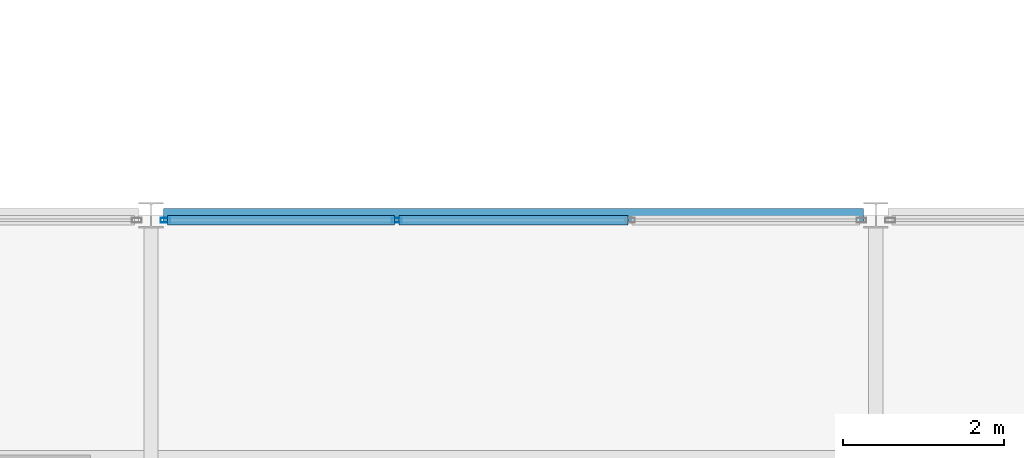
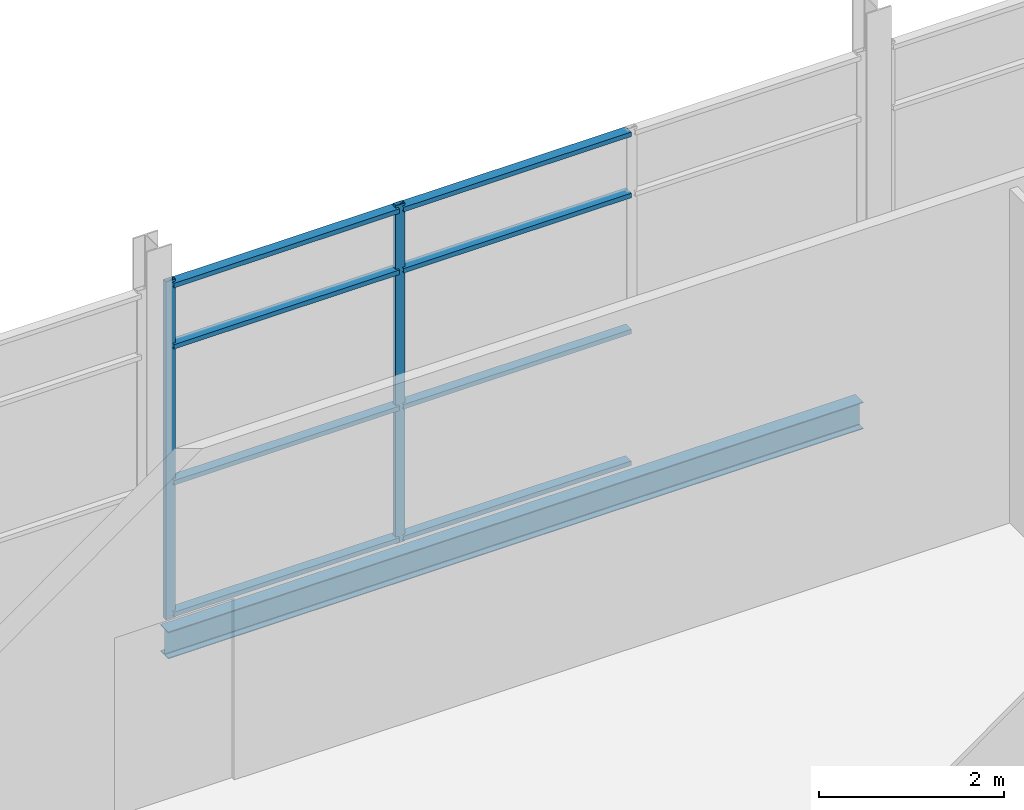
# One storey, part 18 of 94: 10 members, 1 beam, 1 element without a shape of its own.
"""IFC4 building model written with IfcOpenShell, lengths in metres."""

import ifcopenshell
import ifcopenshell.guid

model = None  # the IFC model being written
_history = None  # IfcOwnerHistory: only IFC2X3 demands one
_inside = {}  # id of a spatial element -> (the spatial element, [elements in it])
_under = {}  # id of a project, library or spatial element -> (it, [spatial elements below it])
_declared = {}  # id of a project -> (the project, [libraries it declares])
_typed = {}  # id of a type object -> (the type object, [elements of that type])
_made_of = {}  # id of a material, layer set ... -> (it, [elements and type objects made of it])


def new_model(schema):
    """Start an empty IFC model of exactly this schema.

    Asked for "IFC4X3", IfcOpenShell would pick the latest addendum, in which some entities
    have other attributes; the version numbers below select the first issue.
    IFC2X3 requires an IfcOwnerHistory on every rooted entity: one is made here for all.
    """
    global model, _history
    if schema == "IFC4X3":
        model = ifcopenshell.file(schema_version=(4, 3, 0, 0))
    else:
        model = ifcopenshell.file(schema=schema)
    _inside.clear()
    _under.clear()
    _declared.clear()
    _typed.clear()
    _made_of.clear()
    _history = None
    if model.schema == "IFC2X3":
        org = make("IfcOrganization", Name="unknown")
        user = make(
            "IfcPersonAndOrganization",
            ThePerson=make("IfcPerson", FamilyName="unknown"),
            TheOrganization=org,
        )
        app = make(
            "IfcApplication",
            ApplicationDeveloper=org,
            Version="unknown",
            ApplicationFullName="unknown",
            ApplicationIdentifier="unknown",
        )
        _history = make(
            "IfcOwnerHistory",
            OwningUser=user,
            OwningApplication=app,
            ChangeAction="ADDED",
            CreationDate=0,
        )
    return model


def make(cls, **values):
    """One entity of the class cls with the attributes given. An attribute that is None is left unset."""
    return model.create_entity(
        cls, **{name: value for name, value in values.items() if value is not None}
    )


def rooted(cls, **values):
    """An entity with a GlobalId (a new one), such as an element, a storey or a relation."""
    return make(cls, GlobalId=ifcopenshell.guid.new(), OwnerHistory=_history, **values)


def si_unit(unit_type, name, prefix=None):
    """IfcSIUnit, for example si_unit("LENGTHUNIT", "METRE", prefix="MILLI")."""
    return make("IfcSIUnit", UnitType=unit_type, Prefix=prefix, Name=name)


def assignment(units):
    """IfcUnitAssignment: the units of a project."""
    return None if units is None else make("IfcUnitAssignment", Units=units)


def point(xyz):
    """IfcCartesianPoint."""
    return None if xyz is None else make("IfcCartesianPoint", Coordinates=xyz)


def direction(xyz):
    """IfcDirection."""
    return None if xyz is None else make("IfcDirection", DirectionRatios=xyz)


def frame(location, z_axis=None, x_axis=None):
    """IfcAxis2Placement3D, a coordinate frame: its origin and axes. An axis left out is left unset."""
    return make(
        "IfcAxis2Placement3D",
        Location=point(location),
        Axis=direction(z_axis),
        RefDirection=direction(x_axis),
    )


def frame_2d(location, x_axis=None):
    """IfcAxis2Placement2D, a coordinate frame in the plane: its origin and x axis."""
    return make(
        "IfcAxis2Placement2D", Location=point(location), RefDirection=direction(x_axis)
    )


def origin():
    """The frame at (0, 0, 0) with its axes left unset."""
    return frame((0.0, 0.0, 0.0))


def origin_2d():
    """The frame at (0, 0) in the plane with its x axis left unset."""
    return frame_2d((0.0, 0.0))


def place(relative_to, where):
    """IfcLocalPlacement: puts the frame where relative to a parent placement (None: the world)."""
    return make(
        "IfcLocalPlacement", PlacementRelTo=relative_to, RelativePlacement=where
    )


def context(
    kind, dimensions, precision=None, world=None, true_north=None, identifier=None
):
    """IfcGeometricRepresentationContext, for example the 3D "Model" context."""
    return make(
        "IfcGeometricRepresentationContext",
        ContextIdentifier=identifier,
        ContextType=kind,
        CoordinateSpaceDimension=dimensions,
        Precision=precision,
        WorldCoordinateSystem=world,
        TrueNorth=true_north,
    )


def subcontext(parent, identifier, kind, view, scale=None):
    """IfcGeometricRepresentationSubContext, for example "Body" below "Model"."""
    return make(
        "IfcGeometricRepresentationSubContext",
        ContextIdentifier=identifier,
        ContextType=kind,
        ParentContext=parent,
        TargetScale=scale,
        TargetView=view,
    )


def project(units=None, contexts=None):
    """IfcProject with its units and contexts."""
    return rooted(
        "IfcProject",
        Name="project",
        RepresentationContexts=contexts,
        UnitsInContext=assignment(units),
    )


def spatial(cls, under=None, at=None, **own):
    """A site, building, storey or space (cls), placed at a placement, below another one or the project."""
    s = rooted(cls, ObjectPlacement=at, **own)
    if under is not None:
        _under.setdefault(under.id(), (under, []))[1].append(s)
    return s


def profile(cls, at=None, kind="AREA", **sizes):
    """A parametric profile (cls). Its sizes go by their IFC names, for example OverallWidth=200.0."""
    return make(cls, ProfileType=kind, Position=at, **sizes)


def hollow_rectangle(**sizes):
    """IfcRectangleHollowProfileDef."""
    return profile("IfcRectangleHollowProfileDef", **sizes)


def i_section(**sizes):
    """IfcIShapeProfileDef."""
    return profile("IfcIShapeProfileDef", **sizes)


def extrude(swept, where, along, depth):
    """IfcExtrudedAreaSolid: the profile swept, set in the frame where, extruded along a direction by depth."""
    return make(
        "IfcExtrudedAreaSolid",
        SweptArea=swept,
        Position=where,
        ExtrudedDirection=direction(along),
        Depth=depth,
    )


def shape(context_of_items, identifier, shape_type, items):
    """IfcShapeRepresentation: the items that make up one representation, for example the "Body"."""
    return make(
        "IfcShapeRepresentation",
        ContextOfItems=context_of_items,
        RepresentationIdentifier=identifier,
        RepresentationType=shape_type,
        Items=items,
    )


def material(Name=None, Category=None):
    """IfcMaterial."""
    return make("IfcMaterial", Name=Name, Category=Category)


def layer(
    of_material, thickness, ventilated=None, Name=None, Category=None, Priority=None
):
    """IfcMaterialLayer: one layer of a wall or slab, of a material (None: an air gap)."""
    return make(
        "IfcMaterialLayer",
        Material=of_material,
        LayerThickness=thickness,
        IsVentilated=ventilated,
        Name=Name,
        Category=Category,
        Priority=Priority,
    )


def layer_set(layers, Name=None):
    """IfcMaterialLayerSet."""
    return make("IfcMaterialLayerSet", MaterialLayers=layers, LayerSetName=Name)


def material_profile(
    of_material, cross_section, Name=None, Category=None, Priority=None
):
    """IfcMaterialProfile: a cross section and its material."""
    return make(
        "IfcMaterialProfile",
        Name=Name,
        Material=of_material,
        Profile=cross_section,
        Priority=Priority,
        Category=Category,
    )


def profile_set(profiles, Name=None, composite=None):
    """IfcMaterialProfileSet."""
    return make(
        "IfcMaterialProfileSet",
        Name=Name,
        MaterialProfiles=profiles,
        CompositeProfile=composite,
    )


def made_of(thing, what):
    """Note that an element or type object is made of a material, layer set ...; save() writes the relation."""
    if what is not None:
        _made_of.setdefault(what.id(), (what, []))[1].append(thing)
    return thing


def type_object(cls, material=None, **own):
    """A type object (cls), such as IfcWallType, which elements share."""
    return made_of(rooted(cls, **own), material)


def element(
    cls,
    number,
    at=None,
    inside=None,
    cuts=None,
    type_object=None,
    material=None,
    context=None,
    identifier="Body",
    shape_type=None,
    held_by="IfcProductDefinitionShape",
    body=None,
    shapes=None,
    **own,
):
    """One element of the class cls, such as IfcWall. Its Tag is "e" and its number.

    at: its placement. inside: the storey or other place that contains it. cuts: it is an
    opening in that element (IfcRelVoidsElement). A single representation is given by context,
    identifier, shape_type and body (its items); several are given by shapes. held_by: the class
    of the entity that holds the representations. save() writes the other relations.
    """
    e = rooted(cls, Tag="e%d" % number, ObjectPlacement=at, **own)
    if body is not None:
        shapes = [shape(context, identifier, shape_type, body)]
    if shapes is not None:
        e.Representation = make(held_by, Representations=shapes)
    if inside is not None:
        _inside.setdefault(inside.id(), (inside, []))[1].append(e)
    if cuts is not None:
        rooted(
            "IfcRelVoidsElement", RelatingBuildingElement=cuts, RelatedOpeningElement=e
        )
    if type_object is not None:
        _typed.setdefault(type_object.id(), (type_object, []))[1].append(e)
    return made_of(e, material)


def aggregate(whole, parts):
    """IfcRelAggregates: a whole, such as a stair, and the parts it consists of."""
    return rooted("IfcRelAggregates", RelatingObject=whole, RelatedObjects=parts)


def save(model, path):
    """Write the relations noted so far, then the file.

    IfcRelAggregates (storeys below a building ...), IfcRelContainedInSpatialStructure (elements
    in a storey), IfcRelDefinesByType, IfcRelAssociatesMaterial and IfcRelDeclares: one each for
    every whole, place, type object, material and project.
    """
    for whole, parts in _under.values():
        aggregate(whole, parts)
    for where, things in _inside.values():
        rooted(
            "IfcRelContainedInSpatialStructure",
            RelatedElements=things,
            RelatingStructure=where,
        )
    for kind, things in _typed.values():
        rooted("IfcRelDefinesByType", RelatedObjects=things, RelatingType=kind)
    for what, things in _made_of.values():
        rooted("IfcRelAssociatesMaterial", RelatedObjects=things, RelatingMaterial=what)
    for by, libraries in _declared.values():
        rooted("IfcRelDeclares", RelatingContext=by, RelatedDefinitions=libraries)
    model.write(path)


model = new_model("IFC4")

# Units and contexts
model_context = context("Model", 3, precision=1e-05, world=origin(), true_north=direction((0.0, 1.0)))
body_context = subcontext(model_context, "Body", "Model", "MODEL_VIEW")
ifc_project = project(units=[si_unit("LENGTHUNIT", "METRE"), si_unit("AREAUNIT", "SQUARE_METRE"), si_unit("VOLUMEUNIT", "CUBIC_METRE"), si_unit("PLANEANGLEUNIT", "RADIAN"), si_unit("MASSUNIT", "GRAM", prefix="KILO")], contexts=[model_context])

# Site, building, storey
site_placement = place(None, origin())
site = spatial("IfcSite", under=ifc_project, at=site_placement, CompositionType="ELEMENT")
building_placement = place(site_placement, origin())
building = spatial("IfcBuilding", under=site, at=building_placement, Name="Shorebreak Coast Museum", CompositionType="ELEMENT")
storey_placement = place(building_placement, frame((0.0, 0.0, 31.0)))
storey = spatial("IfcBuildingStorey", under=building, at=storey_placement, Name="L05", CompositionType="ELEMENT", Elevation=31.0)

# Beam
ifc_material_1 = material(Name="Steel Grade 300", Category="steel")
ifc_material_profile_1 = material_profile(ifc_material_1, i_section(OverallWidth=0.1708984375, OverallDepth=0.355712890625, WebThickness=0.00732421875, FlangeThickness=0.011474609375, FilletRadius=0.011474609375, at=origin_2d()), Name="360UB50.7")
ifc_profile_set_1 = profile_set([ifc_material_profile_1], Name="Steel Grade 300")
beam_type = type_object("IfcBeamType", Name="Floor girder east-west 360UB50.7", PredefinedType="BEAM", material=ifc_profile_set_1)
beam_placement = place(storey_placement, frame((81.153564453125, 63.0, -0.352783203125), z_axis=(1.0, 0.0, 0.0), x_axis=(0.0, 1.0, 0.0)))
element("IfcBeam", 1, at=beam_placement, inside=storey, type_object=beam_type, Name="Floor girder east-west L05 10H", PredefinedType="BEAM", context=body_context, shape_type="SweptSolid", body=[
    extrude(i_section(OverallWidth=0.1708984375, OverallDepth=0.355712890625, WebThickness=0.00732421875, FlangeThickness=0.011474609375, FilletRadius=0.011474609375, at=origin_2d()), origin(), (0.0, 0.0, 1.0), 8.69287109375),
])

# Curtain wall, members
ifc_material_2 = material(Name="Aluminium", Category="aluminium")
ifc_layer = layer(ifc_material_2, 0.1201171875)
ifc_layer_set = layer_set([ifc_layer], Name="Aluminium")
curtain_wall_type = type_object("IfcCurtainWallType", Name="Atrium fire screen", PredefinedType="NOTDEFINED", material=ifc_layer_set)
curtain_wall_placement = place(storey_placement, origin())
curtain_wall = element("IfcCurtainWall", 2, at=curtain_wall_placement, inside=storey, type_object=curtain_wall_type, Name="Atrium screen L05 S 65", PredefinedType="NOTDEFINED")
ifc_material_3 = material(Name="Aluminium", Category="aluminium")
ifc_material_profile_2 = material_profile(ifc_material_3, hollow_rectangle(XDim=0.06005859375, YDim=0.1201171875, WallThickness=0.00341796875, at=origin_2d()), Name="AL 120x60 RHS")
ifc_profile_set_2 = profile_set([ifc_material_profile_2], Name="Aluminium")
member_type_1 = type_object("IfcMemberType", Name="Screen mullion 50 x 120", PredefinedType="MULLION", material=ifc_profile_set_2)
member_1_placement = place(storey_placement, frame((81.178466796875, 62.93994140625, 0.0), z_axis=(0.0, 0.0, 1.0), x_axis=(0.0, 1.0, 0.0)))
member_1 = element("IfcMember", 3, at=member_1_placement, type_object=member_type_1, Name="CW6 mullion 1", PredefinedType="MULLION", context=body_context, shape_type="SweptSolid", body=[
    extrude(hollow_rectangle(XDim=0.06005859375, YDim=0.1201171875, WallThickness=0.00341796875, at=origin_2d()), origin(), (0.0, 0.0, 1.0), 4.469482421875),
])
member_2_placement = place(storey_placement, frame((84.05126953125, 62.93994140625, 0.0), z_axis=(0.0, 0.0, 1.0), x_axis=(0.0, 1.0, 0.0)))
member_2 = element("IfcMember", 4, at=member_2_placement, type_object=member_type_1, Name="CW6 mullion 2", PredefinedType="MULLION", context=body_context, shape_type="SweptSolid", body=[
    extrude(hollow_rectangle(XDim=0.06005859375, YDim=0.1201171875, WallThickness=0.00341796875, at=origin_2d()), origin(), (0.0, 0.0, 1.0), 4.469482421875),
])
ifc_material_4 = material(Name="Aluminium", Category="aluminium")
ifc_material_profile_3 = material_profile(ifc_material_4, hollow_rectangle(XDim=0.1201171875, YDim=0.06005859375, WallThickness=0.00341796875, at=origin_2d()), Name="AL 60x120 RHS")
ifc_profile_set_3 = profile_set([ifc_material_profile_3], Name="Aluminium")
member_type_2 = type_object("IfcMemberType", Name="Screen transom 120 x 50", PredefinedType="USERDEFINED", material=ifc_profile_set_3)
member_3_placement = place(storey_placement, frame((81.20361328125, 62.93994140625, 0.06005859375), z_axis=(1.0, 0.0, 0.0), x_axis=(0.0, 1.0, 0.0)))
member_3 = element("IfcMember", 5, at=member_3_placement, type_object=member_type_2, Name="CW6 transom 1.1", ObjectType="TRANSOM", PredefinedType="USERDEFINED", context=body_context, shape_type="SweptSolid", body=[
    extrude(hollow_rectangle(XDim=0.1201171875, YDim=0.06005859375, WallThickness=0.00341796875, at=origin_2d()), origin(), (0.0, 0.0, 1.0), 2.822509765625),
])
member_4_placement = place(storey_placement, frame((81.20361328125, 62.93994140625, 1.800048828125), z_axis=(1.0, 0.0, 0.0), x_axis=(0.0, 1.0, 0.0)))
member_4 = element("IfcMember", 6, at=member_4_placement, type_object=member_type_2, Name="CW6 transom 1.2", ObjectType="TRANSOM", PredefinedType="USERDEFINED", context=body_context, shape_type="SweptSolid", body=[
    extrude(hollow_rectangle(XDim=0.1201171875, YDim=0.06005859375, WallThickness=0.00341796875, at=origin_2d()), origin(), (0.0, 0.0, 1.0), 2.822509765625),
])
member_5_placement = place(storey_placement, frame((81.20361328125, 62.93994140625, 3.60009765625), z_axis=(1.0, 0.0, 0.0), x_axis=(0.0, 1.0, 0.0)))
member_5 = element("IfcMember", 7, at=member_5_placement, type_object=member_type_2, Name="CW6 transom 1.3", ObjectType="TRANSOM", PredefinedType="USERDEFINED", context=body_context, shape_type="SweptSolid", body=[
    extrude(hollow_rectangle(XDim=0.1201171875, YDim=0.06005859375, WallThickness=0.00341796875, at=origin_2d()), origin(), (0.0, 0.0, 1.0), 2.822509765625),
])
member_6_placement = place(storey_placement, frame((81.20361328125, 62.93994140625, 4.409423828125), z_axis=(1.0, 0.0, 0.0), x_axis=(0.0, 1.0, 0.0)))
member_6 = element("IfcMember", 8, at=member_6_placement, type_object=member_type_2, Name="CW6 transom 1.4", ObjectType="TRANSOM", PredefinedType="USERDEFINED", context=body_context, shape_type="SweptSolid", body=[
    extrude(hollow_rectangle(XDim=0.1201171875, YDim=0.06005859375, WallThickness=0.00341796875, at=origin_2d()), origin(), (0.0, 0.0, 1.0), 2.822509765625),
])
member_7_placement = place(storey_placement, frame((84.076171875, 62.93994140625, 0.06005859375), z_axis=(1.0, 0.0, 0.0), x_axis=(0.0, 1.0, 0.0)))
member_7 = element("IfcMember", 9, at=member_7_placement, type_object=member_type_2, Name="CW6 transom 2.1", ObjectType="TRANSOM", PredefinedType="USERDEFINED", context=body_context, shape_type="SweptSolid", body=[
    extrude(hollow_rectangle(XDim=0.1201171875, YDim=0.06005859375, WallThickness=0.00341796875, at=origin_2d()), origin(), (0.0, 0.0, 1.0), 2.84765625),
])
member_8_placement = place(storey_placement, frame((84.076171875, 62.93994140625, 1.800048828125), z_axis=(1.0, 0.0, 0.0), x_axis=(0.0, 1.0, 0.0)))
member_8 = element("IfcMember", 10, at=member_8_placement, type_object=member_type_2, Name="CW6 transom 2.2", ObjectType="TRANSOM", PredefinedType="USERDEFINED", context=body_context, shape_type="SweptSolid", body=[
    extrude(hollow_rectangle(XDim=0.1201171875, YDim=0.06005859375, WallThickness=0.00341796875, at=origin_2d()), origin(), (0.0, 0.0, 1.0), 2.84765625),
])
member_9_placement = place(storey_placement, frame((84.076171875, 62.93994140625, 3.60009765625), z_axis=(1.0, 0.0, 0.0), x_axis=(0.0, 1.0, 0.0)))
member_9 = element("IfcMember", 11, at=member_9_placement, type_object=member_type_2, Name="CW6 transom 2.3", ObjectType="TRANSOM", PredefinedType="USERDEFINED", context=body_context, shape_type="SweptSolid", body=[
    extrude(hollow_rectangle(XDim=0.1201171875, YDim=0.06005859375, WallThickness=0.00341796875, at=origin_2d()), origin(), (0.0, 0.0, 1.0), 2.84765625),
])
member_10_placement = place(storey_placement, frame((84.076171875, 62.93994140625, 4.409423828125), z_axis=(1.0, 0.0, 0.0), x_axis=(0.0, 1.0, 0.0)))
member_10 = element("IfcMember", 12, at=member_10_placement, type_object=member_type_2, Name="CW6 transom 2.4", ObjectType="TRANSOM", PredefinedType="USERDEFINED", context=body_context, shape_type="SweptSolid", body=[
    extrude(hollow_rectangle(XDim=0.1201171875, YDim=0.06005859375, WallThickness=0.00341796875, at=origin_2d()), origin(), (0.0, 0.0, 1.0), 2.84765625),
])
aggregate(curtain_wall, [member_1, member_2, member_3, member_4, member_5, member_6, member_7, member_8, member_9, member_10])

save(model, "model.ifc")
